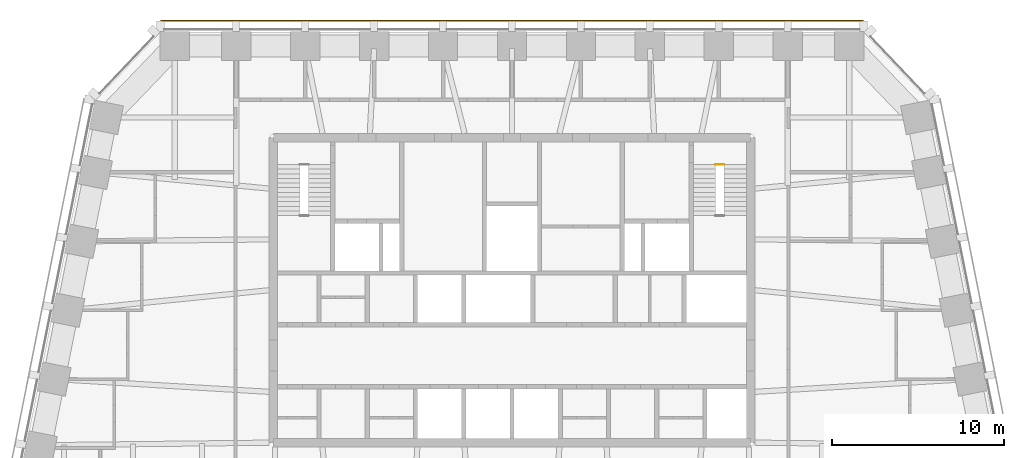
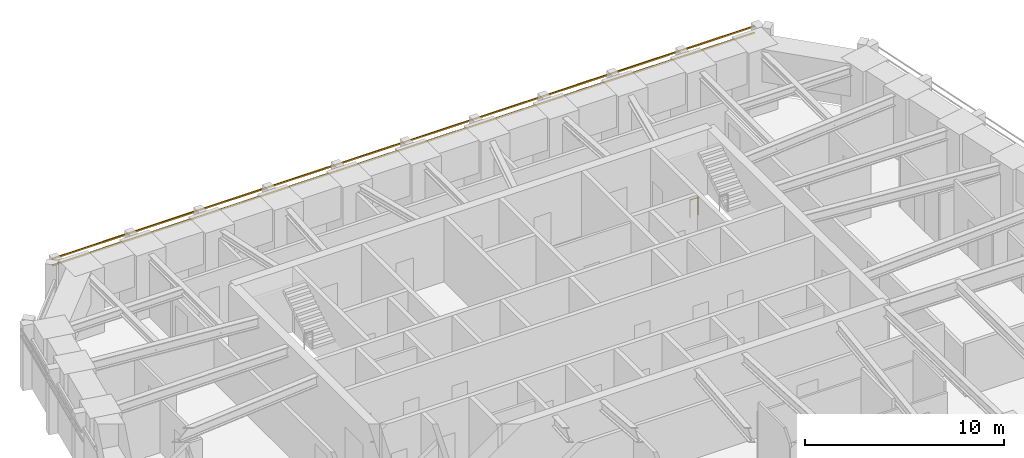
# One storey, part 11 of 11: 2 shading devices, 1 railing.
"""IFC4 building model written with IfcOpenShell, lengths in metres."""

from ifc_helpers import new_model, si_unit, direction, frame, origin, origin_2d, place, context, subcontext, project, spatial, rectangle, circle, extrude, material, material_profile, profile_set, type_object, element, save


model = new_model("IFC4")

# Units and contexts
model_context = context("Model", 3, precision=1e-05, world=origin(), true_north=direction((0.0, 1.0)))
body_context = subcontext(model_context, "Body", "Model", "MODEL_VIEW")
ifc_project = project(units=[si_unit("LENGTHUNIT", "METRE"), si_unit("AREAUNIT", "SQUARE_METRE"), si_unit("VOLUMEUNIT", "CUBIC_METRE"), si_unit("PLANEANGLEUNIT", "RADIAN"), si_unit("MASSUNIT", "GRAM", prefix="KILO")], contexts=[model_context])

# Site, building, storey
site_placement = place(None, origin())
site = spatial("IfcSite", under=ifc_project, at=site_placement, CompositionType="ELEMENT")
building_placement = place(site_placement, origin())
building = spatial("IfcBuilding", under=site, at=building_placement, Name="Isbrekke Arena Tower", CompositionType="ELEMENT")
storey_placement = place(building_placement, frame((0.0, 0.0, 276.0)))
storey = spatial("IfcBuildingStorey", under=building, at=storey_placement, Name="L64", CompositionType="ELEMENT", Elevation=276.0)

# Shading devices
ifc_material_1 = material(Name="Terracotta", Category="masonry")
ifc_material_profile = material_profile(ifc_material_1, rectangle(XDim=0.06005859375, YDim=0.06005859375, at=origin_2d()), Name="BAGUETTE 60X60")
ifc_profile_set = profile_set([ifc_material_profile], Name="Terracotta")
shading_device_type = type_object("IfcShadingDeviceType", Name="BG1 TERRACOTTA BAGUETTE 60 x 60", PredefinedType="USERDEFINED", material=ifc_profile_set)
for number, where, z_axis, x_axis, name in (
    (1, (20.39990234375, 30.655029296875, 3.280029296875), (-1.0, 0.0, 0.0), (0.0, -1.0, 0.0), "BG1 terracotta baguette N1 L64"),
    (2, (20.39990234375, 30.655029296875, 3.679931640625), (-1.0, 0.0, 0.0), (0.0, -1.0, 0.0), "BG1 terracotta baguette N2 L64"),
):
    element("IfcShadingDevice", number, at=place(storey_placement, frame(where, z_axis=z_axis, x_axis=x_axis)), inside=storey, type_object=shading_device_type, Name=name, ObjectType="TERRACOTTA BAGUETTE", PredefinedType="USERDEFINED", context=body_context, shape_type="SweptSolid", body=[
        extrude(rectangle(XDim=0.06005859375, YDim=0.06005859375, at=origin_2d()), origin(), (0.0, 0.0, 1.0), 40.7998046875),
    ])

# Railing
ifc_material_2 = material(Name="Steel stair guard, vertical bars, steel handrail", Category="steel")
railing_type = type_object("IfcRailingType", Name="GR3 STAIR WELL GUARD 1100", PredefinedType="GUARDRAIL", material=ifc_material_2)
railing_placement = place(storey_placement, frame((11.824951171875, 22.300048828125, 0.0)))
element("IfcRailing", 3, at=railing_placement, inside=storey, type_object=railing_type, Name="GR3 stair well guard ST2 L64", PredefinedType="GUARDRAIL", context=body_context, shape_type="SweptSolid", body=[
    extrude(circle(Radius=0.02392578125, at=origin_2d()), frame((0.0, 0.0, 1.076171875), z_axis=(1.0, 0.0, 0.0), x_axis=(0.0, 1.0, 0.0)), (0.0, 0.0, 1.0), 0.47509765625),
    extrude(circle(Radius=0.02099609375, at=origin_2d()), origin(), (0.0, 0.0, 1.0), 1.052001953125),
    extrude(circle(Radius=0.02099609375, at=origin_2d()), frame((0.47509765625, 0.0, 0.0)), (0.0, 0.0, 1.0), 1.052001953125),
])

save(model, "model.ifc")
